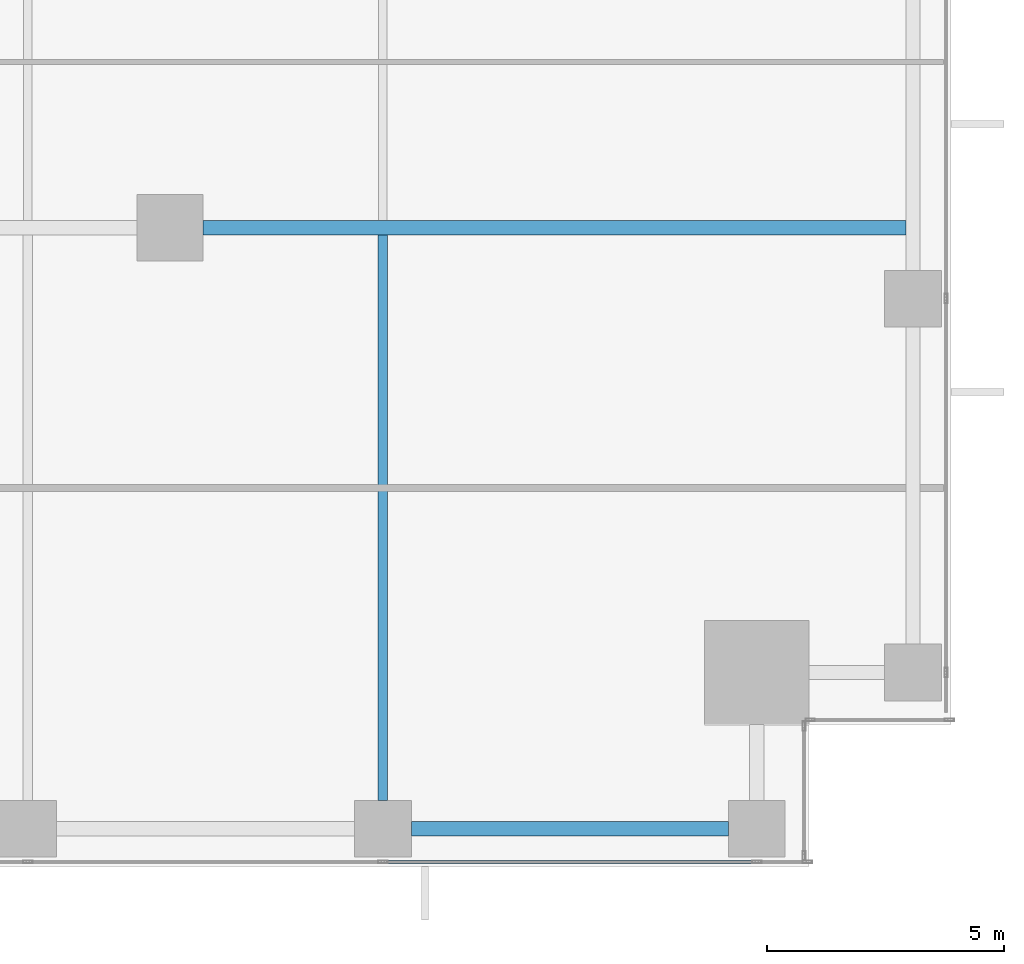
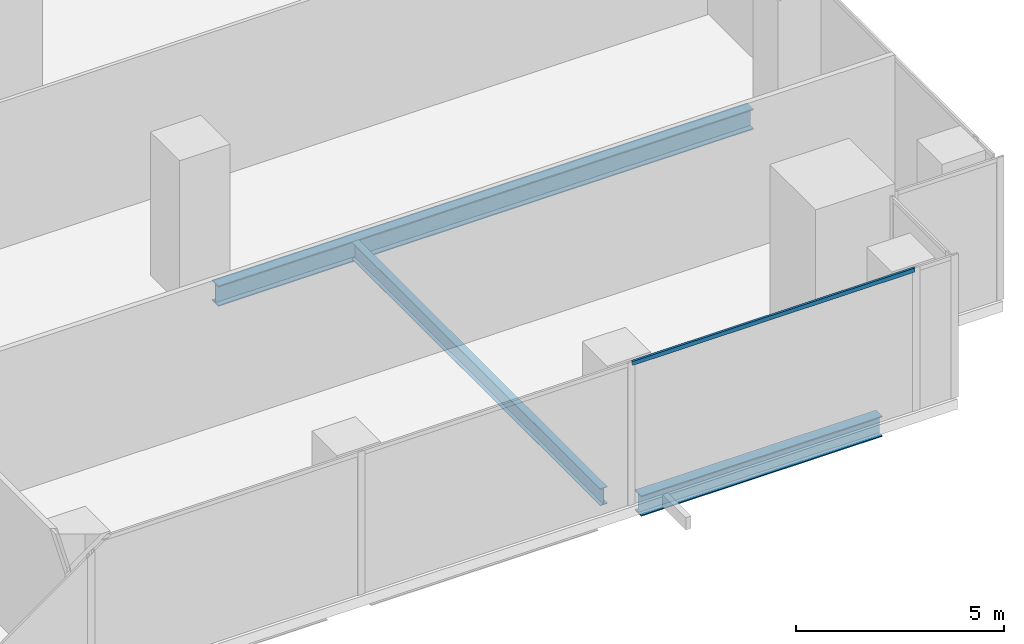
# One storey, part 8 of 32: 3 beams, 1 member, 1 element without a shape of its own.
"""IFC4 building model written with IfcOpenShell, lengths in metres."""

from ifc_helpers import new_model, si_unit, direction, frame, origin, origin_2d, place, context, subcontext, project, spatial, hollow_rectangle, i_section, extrude, source, transform, mapped, material, material_profile, profile_set, type_object, element, aggregate, save


model = new_model("IFC4")

# Units and contexts
model_context = context("Model", 3, precision=1e-05, world=origin(), true_north=direction((0.0, 1.0)))
body_context = subcontext(model_context, "Body", "Model", "MODEL_VIEW")
ifc_project = project(units=[si_unit("LENGTHUNIT", "METRE"), si_unit("AREAUNIT", "SQUARE_METRE"), si_unit("VOLUMEUNIT", "CUBIC_METRE"), si_unit("PLANEANGLEUNIT", "RADIAN"), si_unit("MASSUNIT", "GRAM", prefix="KILO")], contexts=[model_context])

# Site, building, storey
site_placement = place(None, origin())
site = spatial("IfcSite", under=ifc_project, at=site_placement, CompositionType="ELEMENT")
building_placement = place(site_placement, origin())
building = spatial("IfcBuilding", under=site, at=building_placement, Name="Khomas Fold Tower", CompositionType="ELEMENT")
storey_placement = place(building_placement, frame((0.0, 0.0, 37.5)))
storey = spatial("IfcBuildingStorey", under=building, at=storey_placement, Name="L07", CompositionType="ELEMENT", Elevation=37.5)

# Beams
ifc_material_1 = material(Name="Steel S355", Category="steel")
ifc_material_profile_1 = material_profile(ifc_material_1, i_section(OverallWidth=0.300048828125, OverallDepth=0.60009765625, WebThickness=0.015380859375, FlangeThickness=0.030029296875, at=origin_2d()), Name="HE 600 B")
ifc_profile_set_1 = profile_set([ifc_material_profile_1], Name="Steel S355")
beam_type_1 = type_object("IfcBeamType", Name="HE 600 B spandrel SB1", PredefinedType="SPANDREL", material=ifc_profile_set_1)
shared_shape_1 = source(origin(), body_context, "Body", "SweptSolid", [
    extrude(i_section(OverallWidth=0.300048828125, OverallDepth=0.60009765625, WebThickness=0.015380859375, FlangeThickness=0.030029296875, at=origin_2d()), origin(), (0.0, 0.0, 1.0), 6.699951171875),
])
beam_1_placement = place(storey_placement, frame((42.60009765625, 0.800048828125, -0.60009765625), z_axis=(1.0, 0.0, 0.0), x_axis=(0.0, 1.0, 0.0)))
element("IfcBeam", 1, at=beam_1_placement, inside=storey, type_object=beam_type_1, Name="SB1", PredefinedType="SPANDREL", context=body_context, shape_type="MappedRepresentation", body=[
    mapped(shared_shape_1, transform((0.0, 0.0, 0.0))),
])
ifc_material_2 = material(Name="Steel S355", Category="steel")
ifc_material_profile_2 = material_profile(ifc_material_2, i_section(OverallWidth=0.300048828125, OverallDepth=0.60009765625, WebThickness=0.015380859375, FlangeThickness=0.030029296875, at=origin_2d()), Name="HE 600 B")
ifc_profile_set_2 = profile_set([ifc_material_profile_2], Name="Steel S355")
beam_type_2 = type_object("IfcBeamType", Name="HE 600 B beam GB5", PredefinedType="BEAM", material=ifc_profile_set_2)
shared_shape_2 = source(origin(), body_context, "Body", "SweptSolid", [
    extrude(i_section(OverallWidth=0.300048828125, OverallDepth=0.60009765625, WebThickness=0.015380859375, FlangeThickness=0.030029296875, at=origin_2d()), origin(), (0.0, 0.0, 1.0), 14.85009765625),
])
beam_2_placement = place(storey_placement, frame((38.199951171875, 13.5, -0.60009765625), z_axis=(1.0, 0.0, 0.0), x_axis=(0.0, 1.0, 0.0)))
element("IfcBeam", 2, at=beam_2_placement, inside=storey, type_object=beam_type_2, Name="GB5", PredefinedType="BEAM", context=body_context, shape_type="MappedRepresentation", body=[
    mapped(shared_shape_2, transform((0.0, 0.0, 0.0))),
])
ifc_material_3 = material(Name="Steel S355", Category="steel")
ifc_material_profile_3 = material_profile(ifc_material_3, i_section(OverallWidth=0.199951171875, OverallDepth=0.5, WebThickness=0.01025390625, FlangeThickness=0.01611328125, at=origin_2d()), Name="IPE 500")
ifc_profile_set_3 = profile_set([ifc_material_profile_3], Name="Steel S355")
beam_type_3 = type_object("IfcBeamType", Name="IPE 500 beam JB5", PredefinedType="BEAM", material=ifc_profile_set_3)
shared_shape_3 = source(origin(), body_context, "Body", "SweptSolid", [
    extrude(i_section(OverallWidth=0.199951171875, OverallDepth=0.5, WebThickness=0.01025390625, FlangeThickness=0.01611328125, at=origin_2d()), origin(), (0.0, 0.0, 1.0), 11.9501953125),
])
beam_3_placement = place(storey_placement, frame((42.0, 1.39990234375, -0.550048828125), z_axis=(0.0, 1.0, 0.0), x_axis=(-1.0, 0.0, 0.0)))
element("IfcBeam", 3, at=beam_3_placement, inside=storey, type_object=beam_type_3, Name="JB5", PredefinedType="BEAM", context=body_context, shape_type="MappedRepresentation", body=[
    mapped(shared_shape_3, transform((0.0, 0.0, 0.0))),
])

# Curtain wall, member
ifc_material_4 = material(Name="Aluminium framed double glazing", Category="aluminium")
curtain_wall_type = type_object("IfcCurtainWallType", Name="SK-Unitised clear-glass wall, growing floors CW1", PredefinedType="NOTDEFINED", material=ifc_material_4)
curtain_wall_placement = place(storey_placement, origin())
curtain_wall = element("IfcCurtainWall", 4, at=curtain_wall_placement, inside=storey, type_object=curtain_wall_type, Name="CW1 run L07 00-0", PredefinedType="NOTDEFINED")
ifc_material_5 = material(Name="Aluminium", Category="aluminium")
ifc_material_profile_4 = material_profile(ifc_material_5, hollow_rectangle(XDim=0.06005859375, YDim=0.1201171875, WallThickness=0.00390625, at=origin_2d()), Name="SK-Unitised clear-glass wall, growing floors transom CW1-T")
ifc_profile_set_4 = profile_set([ifc_material_profile_4], Name="Aluminium")
member_type = type_object("IfcMemberType", Name="SK-Unitised clear-glass wall, growing floors transom CW1-T", PredefinedType="USERDEFINED", material=ifc_profile_set_4)
shared_shape_4 = source(origin(), body_context, "Body", "SweptSolid", [
    extrude(hollow_rectangle(XDim=0.06005859375, YDim=0.1201171875, WallThickness=0.00390625, at=origin_2d()), origin(), (0.0, 0.0, 1.0), 7.840087890625),
])
member_placement = place(storey_placement, frame((42.030029296875, 0.10009765625, 4.139892578125), z_axis=(1.0, 0.0, 0.0), x_axis=(0.0, 1.0, 0.0)))
member = element("IfcMember", 5, at=member_placement, type_object=member_type, Name="CW1 transom 7", ObjectType="TRANSOM", PredefinedType="USERDEFINED", context=body_context, shape_type="MappedRepresentation", body=[
    mapped(shared_shape_4, transform((0.0, 0.0, 0.0))),
])
aggregate(curtain_wall, [member])

save(model, "model.ifc")
